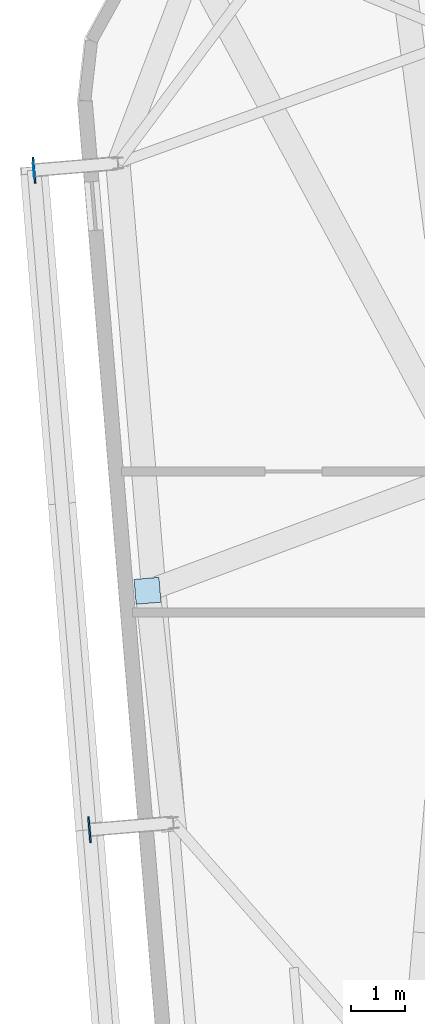
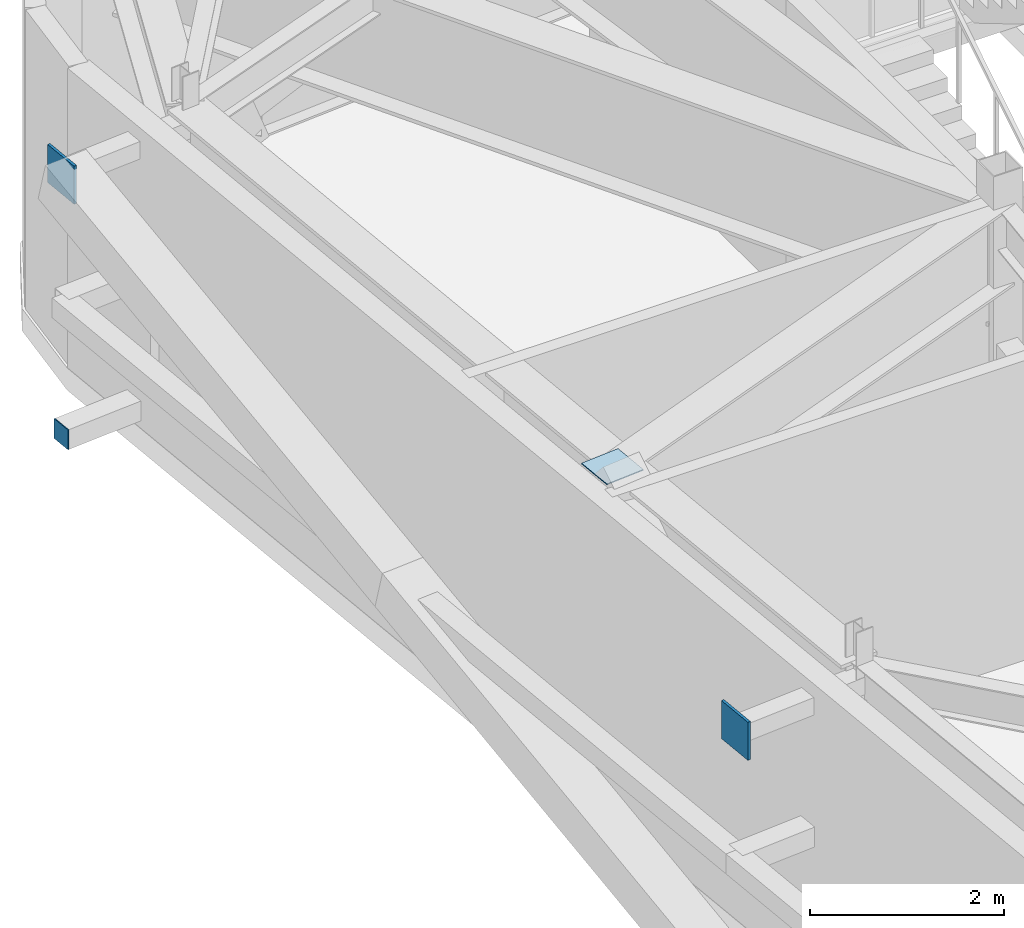
# One storey, part 17 of 26: 4 plates.
"""IFC4 building model written with IfcOpenShell, lengths in metres."""

from ifc_helpers import new_model, si_unit, direction, frame, origin, origin_2d, place, context, subcontext, project, spatial, rectangle, extrude, source, transform, mapped, material, layer, layer_set, type_object, element, save


model = new_model("IFC4")

# Units and contexts
model_context = context("Model", 3, precision=1e-05, world=origin(), true_north=direction((0.0, 1.0)))
body_context = subcontext(model_context, "Body", "Model", "MODEL_VIEW")
ifc_project = project(units=[si_unit("LENGTHUNIT", "METRE"), si_unit("AREAUNIT", "SQUARE_METRE"), si_unit("VOLUMEUNIT", "CUBIC_METRE"), si_unit("PLANEANGLEUNIT", "RADIAN"), si_unit("MASSUNIT", "GRAM", prefix="KILO")], contexts=[model_context])

# Site, building, storey
site_placement = place(None, origin())
site = spatial("IfcSite", under=ifc_project, at=site_placement, CompositionType="ELEMENT")
building_placement = place(site_placement, origin())
building = spatial("IfcBuilding", under=site, at=building_placement, Name="Taldren Reach Tower", CompositionType="ELEMENT")
storey_placement = place(building_placement, frame((0.0, 0.0, 207.199951171875)))
storey = spatial("IfcBuildingStorey", under=building, at=storey_placement, Name="L63", CompositionType="ELEMENT", Elevation=207.199951171875)

# Plates
ifc_material_1 = material(Name="Steel Gr 350 (C350L0)", Category="steel")
ifc_layer_1 = layer(ifc_material_1, 0.011962890625)
ifc_layer_set_1 = layer_set([ifc_layer_1], Name="Steel Gr 350 (C350L0)")
plate_type_1 = type_object("IfcPlateType", Name="PL-CAP-250", PredefinedType="SHEET", material=ifc_layer_set_1)
shared_shape_1 = source(origin(), body_context, "Body", "SweptSolid", [
    extrude(rectangle(XDim=0.011962890625, YDim=0.25, at=origin_2d()), origin(), (0.0, 0.0, 1.0), 0.25),
])
plate_1_placement = place(storey_placement, frame((11.011474609375, 29.55224609375, 0.094970703125), z_axis=(0.0, 0.0, 1.0), x_axis=(0.99649285925, 0.083677843332, 0.0)))
element("IfcPlate", 1, at=plate_1_placement, inside=storey, type_object=plate_type_1, Name="Tie strut end cap plate B4-W3 L63", PredefinedType="SHEET", context=body_context, shape_type="MappedRepresentation", body=[
    mapped(shared_shape_1, transform((0.0, 0.0, 0.0), scale=1.0)),
])
ifc_material_2 = material(Name="Steel Gr 450 (C450L0)", Category="steel")
ifc_layer_2 = layer(ifc_material_2, 0.011962890625)
ifc_layer_set_2 = layer_set([ifc_layer_2], Name="Steel Gr 450 (C450L0)")
plate_type_2 = type_object("IfcPlateType", Name="PL-CAP-460", PredefinedType="SHEET", material=ifc_layer_set_2)
shared_shape_2 = source(origin(), body_context, "Body", "SweptSolid", [
    extrude(rectangle(XDim=0.4599609375, YDim=0.4599609375, at=origin_2d()), origin(), (0.0, 0.0, 1.0), 0.011962890625),
])
plate_2_placement = place(storey_placement, frame((13.108642578125, 21.80029296875, 3.76806640625), z_axis=(0.0, 0.0, 1.0), x_axis=(0.99649285925, 0.083677843332, 0.0)))
element("IfcPlate", 2, at=plate_2_placement, inside=storey, type_object=plate_type_2, Name="Transfer strut end cap plate TS-B5-W2 L63", PredefinedType="SHEET", context=body_context, shape_type="MappedRepresentation", body=[
    mapped(shared_shape_2, transform((0.0, 0.0, 0.0), scale=1.0)),
])
ifc_layer_3 = layer(ifc_material_2, 0.031982421875)
ifc_layer_set_3 = layer_set([ifc_layer_3], Name="Steel Gr 450 (C450L0)")
plate_type_3 = type_object("IfcPlateType", Name="PL-GUSSET-32", PredefinedType="SHEET", material=ifc_layer_set_3)
shared_shape_3 = source(origin(), body_context, "Body", "SweptSolid", [
    extrude(rectangle(XDim=0.47998046875, YDim=0.031982421875, at=origin_2d()), origin(), (0.0, 0.0, 1.0), 0.47998046875),
])
for number, where, z_axis, x_axis, name in (
    (3, (12.0380859375, 17.3955078125, 3.260009765625), (0.0, 0.0, 1.0), (-0.083677843332, 0.99649285925, 0.0), "Exoskeleton star-node gusset plate B4-W2 L63"),
    (4, (11.017333984375, 29.552734375, 3.260009765625), (0.0, 0.0, 1.0), (-0.083677843332, 0.99649285925, 0.0), "Exoskeleton star-node gusset plate B4-W3 L63"),
):
    element("IfcPlate", number, at=place(storey_placement, frame(where, z_axis=z_axis, x_axis=x_axis)), inside=storey, type_object=plate_type_3, Name=name, PredefinedType="SHEET", context=body_context, shape_type="MappedRepresentation", body=[
        mapped(shared_shape_3, transform((0.0, 0.0, 0.0), scale=1.0)),
    ])

save(model, "model.ifc")
